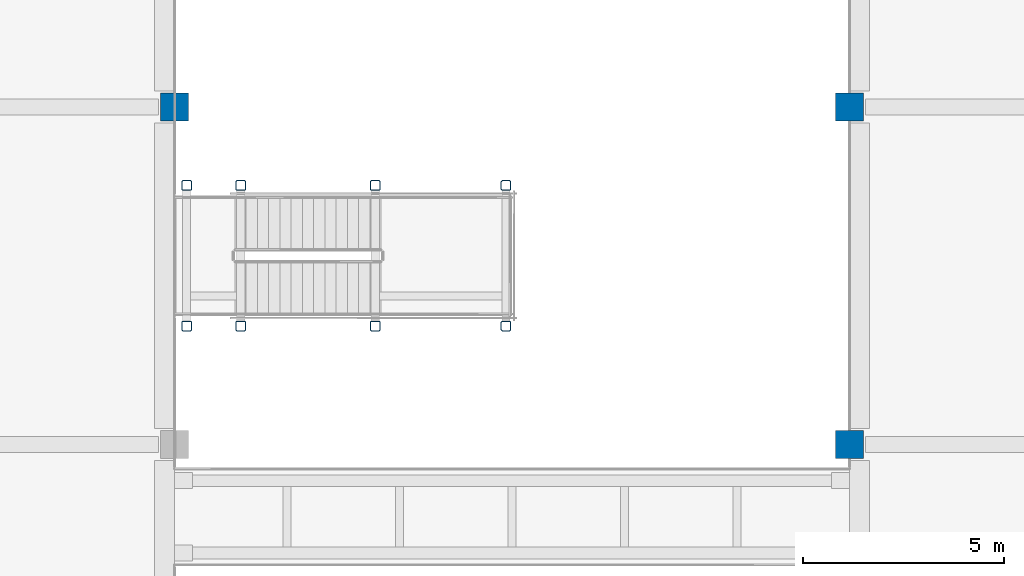
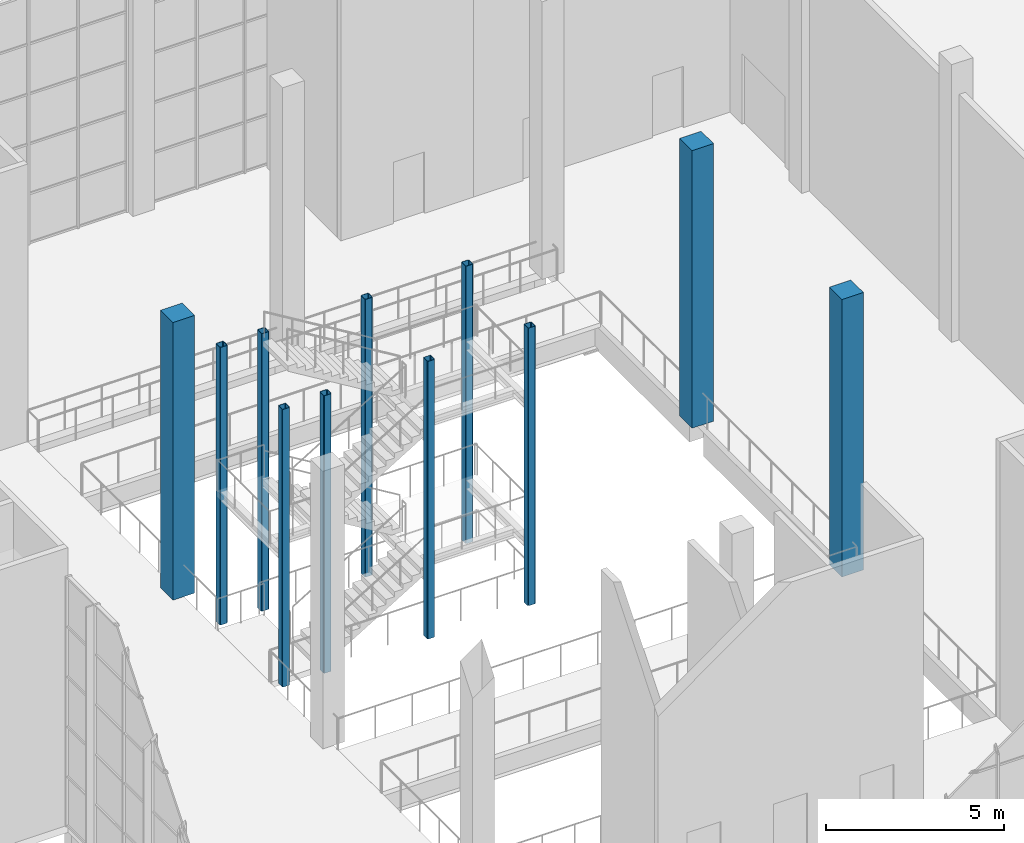
# One storey, part 2 of 114: 11 columns.
"""IFC4 building model written with IfcOpenShell, lengths in metres."""

from ifc_helpers import new_model, si_unit, direction, frame, origin, origin_2d, place, context, subcontext, project, spatial, rectangle, hollow_rectangle, extrude, material, material_profile, profile_set, type_object, element, save


model = new_model("IFC4")

# Units and contexts
model_context = context("Model", 3, precision=1e-05, world=origin(), true_north=direction((0.0, 1.0)))
body_context = subcontext(model_context, "Body", "Model", "MODEL_VIEW")
ifc_project = project(units=[si_unit("LENGTHUNIT", "METRE"), si_unit("AREAUNIT", "SQUARE_METRE"), si_unit("VOLUMEUNIT", "CUBIC_METRE"), si_unit("PLANEANGLEUNIT", "RADIAN"), si_unit("MASSUNIT", "GRAM", prefix="KILO")], contexts=[model_context])

# Site, building, storey
site_placement = place(None, origin())
site = spatial("IfcSite", under=ifc_project, at=site_placement, CompositionType="ELEMENT")
building_placement = place(site_placement, origin())
building = spatial("IfcBuilding", under=site, at=building_placement, Name="Almond Square Museum", CompositionType="ELEMENT")
storey_placement = place(building_placement, frame((0.0, 0.0, 10.5)))
storey = spatial("IfcBuildingStorey", under=building, at=storey_placement, Name="L02", CompositionType="ELEMENT", Elevation=10.5)

# Columns
ifc_material_1 = material(Name="Structural steel S355", Category="steel")
ifc_material_profile_1 = material_profile(ifc_material_1, hollow_rectangle(XDim=0.25, YDim=0.25, WallThickness=0.012451171875, InnerFilletRadius=0.02490234375, OuterFilletRadius=0.03759765625, at=origin_2d()))
ifc_profile_set_1 = profile_set([ifc_material_profile_1], Name="Structural steel S355")
column_type_1 = type_object("IfcColumnType", Name="Feature stair column SHS 250x250x12.5", PredefinedType="COLUMN", material=ifc_profile_set_1)
for number, where, z_axis, x_axis, name in (
    (1, (81.89990234375, 86.949951171875, 0.0), (0.0, 0.0, 1.0), (1.0, 0.0, 0.0), "L02 atrium feature stair support column"),
    (2, (81.89990234375, 90.449951171875, 0.0), (0.0, 0.0, 1.0), (1.0, 0.0, 0.0), "L02 atrium feature stair support column"),
    (3, (83.2451171875, 86.949951171875, 0.0), (0.0, 0.0, 1.0), (1.0, 0.0, 0.0), "L02 atrium feature stair support column"),
    (4, (83.2451171875, 90.449951171875, 0.0), (0.0, 0.0, 1.0), (1.0, 0.0, 0.0), "L02 atrium feature stair support column"),
    (5, (86.594970703125, 86.949951171875, 0.0), (0.0, 0.0, 1.0), (1.0, 0.0, 0.0), "L02 atrium feature stair support column"),
    (6, (86.594970703125, 90.449951171875, 0.0), (0.0, 0.0, 1.0), (1.0, 0.0, 0.0), "L02 atrium feature stair support column"),
    (7, (89.85009765625, 86.949951171875, 0.0), (0.0, 0.0, 1.0), (1.0, 0.0, 0.0), "L02 atrium feature stair support column"),
    (8, (89.85009765625, 90.449951171875, 0.0), (0.0, 0.0, 1.0), (1.0, 0.0, 0.0), "L02 atrium feature stair support column"),
):
    element("IfcColumn", number, at=place(storey_placement, frame(where, z_axis=z_axis, x_axis=x_axis)), inside=storey, type_object=column_type_1, Name=name, PredefinedType="COLUMN", context=body_context, shape_type="SweptSolid", body=[
        extrude(hollow_rectangle(XDim=0.25, YDim=0.25, WallThickness=0.012451171875, InnerFilletRadius=0.02490234375, OuterFilletRadius=0.03759765625, at=origin_2d()), origin(), (0.0, 0.0, 1.0), 9.5),
    ])
ifc_material_2 = material(Name="Concrete C40/50", Category="concrete")
ifc_material_profile_2 = material_profile(ifc_material_2, rectangle(XDim=0.699951171875, YDim=0.699951171875, at=origin_2d()))
ifc_profile_set_2 = profile_set([ifc_material_profile_2], Name="Concrete C40/50")
column_type_2 = type_object("IfcColumnType", Name="RC column 700 x 700 C40/50", PredefinedType="COLUMN", material=ifc_profile_set_2)
for number, where, z_axis, x_axis, name in (
    (9, (81.60009765625, 92.39990234375, 0.0), (0.0, 0.0, 1.0), (1.0, 0.0, 0.0), "Column 11-L L02"),
    (10, (98.39990234375, 84.0, 0.0), (0.0, 0.0, 1.0), (1.0, 0.0, 0.0), "Column 13-K L02"),
    (11, (98.39990234375, 92.39990234375, 0.0), (0.0, 0.0, 1.0), (1.0, 0.0, 0.0), "Column 13-L L02"),
):
    element("IfcColumn", number, at=place(storey_placement, frame(where, z_axis=z_axis, x_axis=x_axis)), inside=storey, type_object=column_type_2, Name=name, PredefinedType="COLUMN", context=body_context, shape_type="SweptSolid", body=[
        extrude(rectangle(XDim=0.699951171875, YDim=0.699951171875, at=origin_2d()), origin(), (0.0, 0.0, 1.0), 9.5),
    ])

save(model, "model.ifc")
